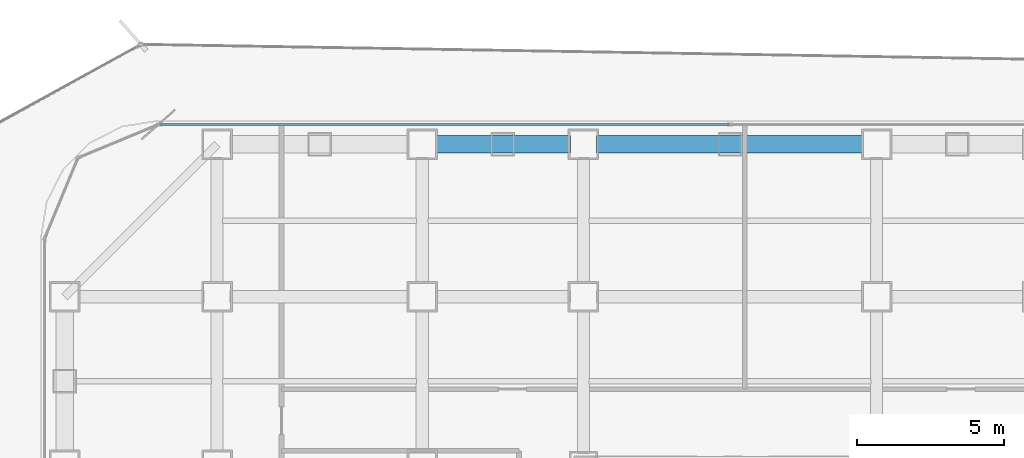
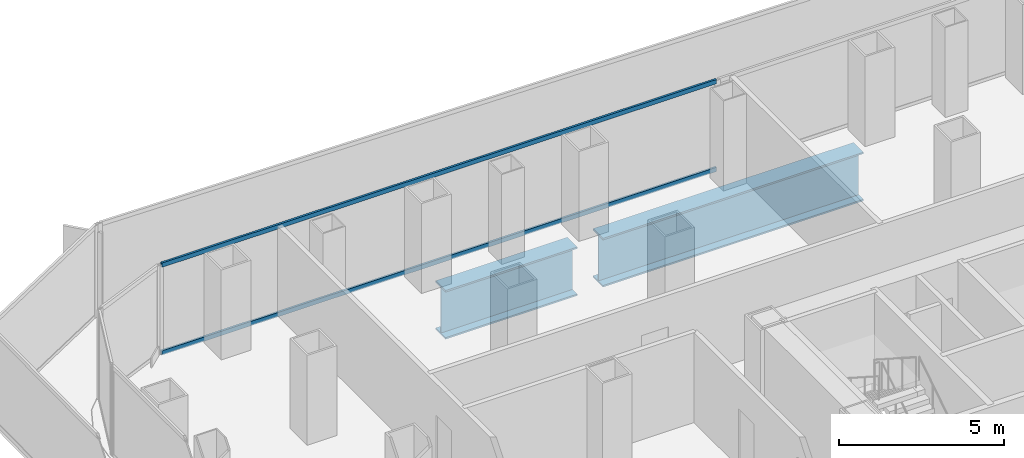
# One storey, part 15 of 27: 2 beams, 2 members, 1 element without a shape of its own.
"""IFC4 building model written with IfcOpenShell, lengths in metres."""

from ifc_helpers import new_model, si_unit, direction, frame, origin, origin_2d, place, context, subcontext, project, spatial, hollow_rectangle, i_section, extrude, source, transform, mapped, material, layer, layer_set, material_profile, profile_set, type_object, element, aggregate, save


model = new_model("IFC4")

# Units and contexts
model_context = context("Model", 3, precision=1e-05, world=origin(), true_north=direction((0.0, 1.0)))
body_context = subcontext(model_context, "Body", "Model", "MODEL_VIEW")
ifc_project = project(units=[si_unit("LENGTHUNIT", "METRE"), si_unit("AREAUNIT", "SQUARE_METRE"), si_unit("VOLUMEUNIT", "CUBIC_METRE"), si_unit("PLANEANGLEUNIT", "RADIAN"), si_unit("MASSUNIT", "GRAM", prefix="KILO")], contexts=[model_context])

# Site, building, storey
site_placement = place(None, origin())
site = spatial("IfcSite", under=ifc_project, at=site_placement, CompositionType="ELEMENT")
building_placement = place(site_placement, origin())
building = spatial("IfcBuilding", under=site, at=building_placement, Name="Kolveth Station Tower", CompositionType="ELEMENT")
storey_placement = place(building_placement, frame((0.0, 0.0, 22.5)))
storey = spatial("IfcBuildingStorey", under=building, at=storey_placement, Name="L05", CompositionType="ELEMENT", Elevation=22.5)

# Beams
ifc_material_1 = material(Name="Steel S460", Category="steel")
ifc_material_profile_1 = material_profile(ifc_material_1, i_section(OverallWidth=0.60009765625, OverallDepth=1.800048828125, WebThickness=0.031982421875, FlangeThickness=0.06005859375, at=origin_2d()), Name="PG1800x600x60")
ifc_profile_set_1 = profile_set([ifc_material_profile_1], Name="Steel S460")
beam_type = type_object("IfcBeamType", Name="Beam_TG2", PredefinedType="BEAM", material=ifc_profile_set_1)
shared_shape_1 = source(origin(), body_context, "Body", "SweptSolid", [
    extrude(i_section(OverallWidth=0.60009765625, OverallDepth=1.800048828125, WebThickness=0.031982421875, FlangeThickness=0.06005859375, at=origin_2d()), origin(), (0.0, 0.0, 1.0), 4.60009765625),
])
beam_1_placement = place(storey_placement, frame((13.449951171875, 39.699951171875, -1.260009765625), z_axis=(1.0, 0.0, 0.0), x_axis=(0.0, 1.0, 0.0)))
element("IfcBeam", 1, at=beam_1_placement, inside=storey, type_object=beam_type, Name="L05 Transfer Girder BM-L05-PN-2", PredefinedType="BEAM", context=body_context, shape_type="MappedRepresentation", body=[
    mapped(shared_shape_1, transform((0.0, 0.0, 0.0), x_axis=(1.0, 0.0, 0.0), y_axis=(0.0, 1.0, 0.0), z_axis=(0.0, 0.0, 1.0), scale=1.0)),
])
shared_shape_2 = source(origin(), body_context, "Body", "SweptSolid", [
    extrude(i_section(OverallWidth=0.60009765625, OverallDepth=1.800048828125, WebThickness=0.031982421875, FlangeThickness=0.06005859375, at=origin_2d()), origin(), (0.0, 0.0, 1.0), 9.10009765625),
])
beam_2_placement = place(storey_placement, frame((18.949951171875, 39.699951171875, -1.260009765625), z_axis=(1.0, 0.0, 0.0), x_axis=(0.0, 1.0, 0.0)))
element("IfcBeam", 2, at=beam_2_placement, inside=storey, type_object=beam_type, Name="L05 Transfer Girder BM-L05-PN-3", PredefinedType="BEAM", context=body_context, shape_type="MappedRepresentation", body=[
    mapped(shared_shape_2, transform((0.0, 0.0, 0.0), x_axis=(1.0, 0.0, 0.0), y_axis=(0.0, 1.0, 0.0), z_axis=(0.0, 0.0, 1.0), scale=1.0)),
])

# Curtain wall, members
ifc_material_2 = material(Name="Aluminium 6063-T6 and low-E dark glass", Category="aluminium")
ifc_layer = layer(ifc_material_2, 0.179931640625)
ifc_layer_set = layer_set([ifc_layer], Name="Aluminium 6063-T6 and low-E dark glass")
curtain_wall_type = type_object("IfcCurtainWallType", Name="CurtainWall_CW-Z1", PredefinedType="NOTDEFINED", material=ifc_layer_set)
curtain_wall_placement = place(storey_placement, origin())
curtain_wall = element("IfcCurtainWall", 3, at=curtain_wall_placement, inside=storey, type_object=curtain_wall_type, Name="L05 Inner Thermal Curtain Wall 6", PredefinedType="NOTDEFINED")
ifc_material_3 = material(Name="Black anodized aluminium 6063-T6", Category="aluminium")
ifc_material_profile_2 = material_profile(ifc_material_3, hollow_rectangle(XDim=0.074951171875, YDim=0.159912109375, WallThickness=0.0048828125, at=origin_2d()), Name="ALU-75x160x5")
ifc_profile_set_2 = profile_set([ifc_material_profile_2], Name="Black anodized aluminium 6063-T6")
member_type = type_object("IfcMemberType", Name="Transom_TR1", PredefinedType="USERDEFINED", material=ifc_profile_set_2)
shared_shape_3 = source(origin(), body_context, "Body", "SweptSolid", [
    extrude(hollow_rectangle(XDim=0.074951171875, YDim=0.159912109375, WallThickness=0.0048828125, at=origin_2d()), origin(), (0.0, 0.0, 1.0), 19.387451171875),
])
member_1_placement = place(storey_placement, frame((23.46240234375, 40.3798828125, 0.03759765625), z_axis=(-1.0, 0.0, 0.0), x_axis=(0.0, -1.0, 0.0)))
member_1 = element("IfcMember", 4, at=member_1_placement, type_object=member_type, Name="CW-Z1 transom 2.1", ObjectType="TRANSOM", PredefinedType="USERDEFINED", context=body_context, shape_type="MappedRepresentation", body=[
    mapped(shared_shape_3, transform((0.0, 0.0, 0.0), x_axis=(1.0, 0.0, 0.0), y_axis=(0.0, 1.0, 0.0), z_axis=(0.0, 0.0, 1.0), scale=1.0)),
])
member_2_placement = place(storey_placement, frame((23.46240234375, 40.3798828125, 3.282470703125), z_axis=(-1.0, 0.0, 0.0), x_axis=(0.0, -1.0, 0.0)))
member_2 = element("IfcMember", 5, at=member_2_placement, type_object=member_type, Name="CW-Z1 transom 2.2", ObjectType="TRANSOM", PredefinedType="USERDEFINED", context=body_context, shape_type="MappedRepresentation", body=[
    mapped(shared_shape_3, transform((0.0, 0.0, 0.0), x_axis=(1.0, 0.0, 0.0), y_axis=(0.0, 1.0, 0.0), z_axis=(0.0, 0.0, 1.0), scale=1.0)),
])
aggregate(curtain_wall, [member_1, member_2])

save(model, "model.ifc")
